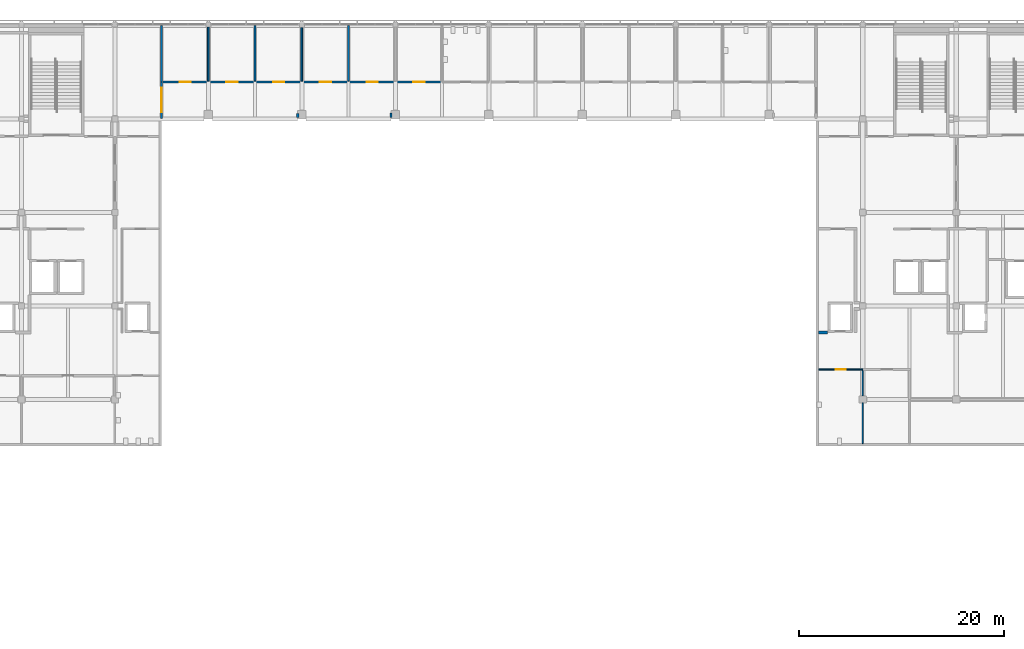
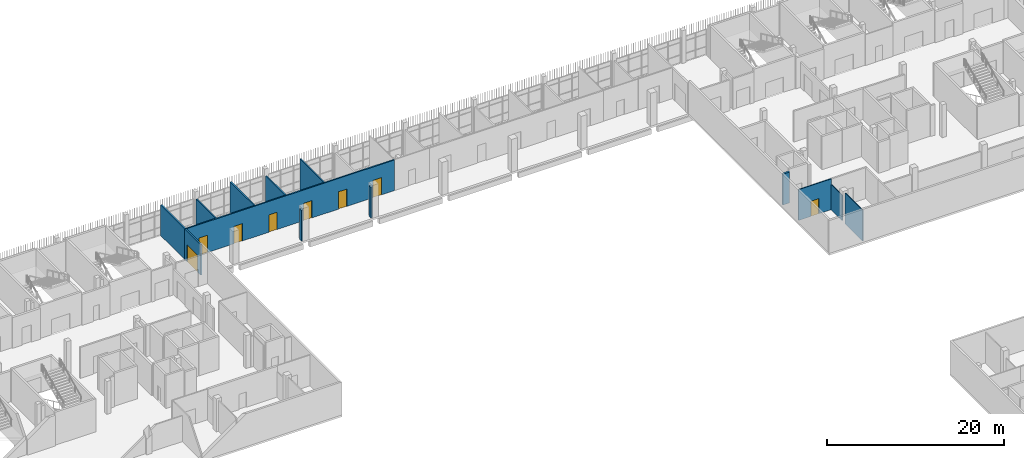
# One storey, part 76 of 124: 13 walls, 8 doors, 8 openings.
"""IFC4 building model written with IfcOpenShell, lengths in metres."""

from ifc_helpers import new_model, si_unit, direction, frame, frame_2d, origin, place, context, subcontext, project, spatial, rectangle, extrude, material, layer, layer_set, type_object, element, fill, save


model = new_model("IFC4")

# Units and contexts
model_context = context("Model", 3, precision=1e-05, world=origin(), true_north=direction((0.0, 1.0)))
body_context = subcontext(model_context, "Body", "Model", "MODEL_VIEW")
ifc_project = project(units=[si_unit("LENGTHUNIT", "METRE"), si_unit("AREAUNIT", "SQUARE_METRE"), si_unit("VOLUMEUNIT", "CUBIC_METRE"), si_unit("PLANEANGLEUNIT", "RADIAN"), si_unit("MASSUNIT", "GRAM", prefix="KILO")], contexts=[model_context])

# Site, building, storey
site_placement = place(None, origin())
site = spatial("IfcSite", under=ifc_project, at=site_placement, CompositionType="ELEMENT")
building_placement = place(site_placement, origin())
building = spatial("IfcBuilding", under=site, at=building_placement, Name="Shirokan Park Arena", CompositionType="ELEMENT")
storey_placement = place(building_placement, frame((0.0, 0.0, 20.02001953125)))
storey = spatial("IfcBuildingStorey", under=building, at=storey_placement, Name="L04", CompositionType="ELEMENT", Elevation=20.02001953125)

# Wall
ifc_material_1 = material(Name="Gypsum board")
ifc_layer_1 = layer(ifc_material_1, 0.02490234375, Name="Gypsum board, two layers")
ifc_material_2 = material(Name="Mineral wool insulation")
ifc_layer_2 = layer(ifc_material_2, 0.10009765625, Name="Acoustic mineral wool in studs")
ifc_layer_3 = layer(ifc_material_1, 0.02490234375, Name="Gypsum board, two layers")
ifc_material_3 = material(Name="Acoustic mat on resilient channel")
ifc_layer_4 = layer(ifc_material_3, 0.02490234375, Name="Acoustic mat on resilient channel")
ifc_layer_set_1 = layer_set([ifc_layer_1, ifc_layer_2, ifc_layer_3, ifc_layer_4], Name="Gypsum board, two layers + Acoustic mineral wool in studs + Acoustic mat on resilient channel")
wall_type_1 = type_object("IfcWallType", Name="Acoustic studio wall 175", PredefinedType="PARTITIONING", material=ifc_layer_set_1)
wall_1_placement = place(storey_placement, frame((40.949951171875, 103.699951171875, 0.0), z_axis=(0.0, 0.0, 1.0), x_axis=(0.0, 1.0, 0.0)))
element("IfcWall", 1, at=wall_1_placement, inside=storey, type_object=wall_type_1, Name="Acoustic studio wall 175 L04", PredefinedType="PARTITIONING", context=body_context, shape_type="SweptSolid", body=[
    extrude(rectangle(XDim=5.469970703125, YDim=0.175048828125, at=frame_2d((2.73486328125, 0.0))), origin(), (0.0, 0.0, 1.0), 4.25),
])

# Wall, openings, doors
wall_2_placement = place(storey_placement, frame((41.050048828125, 103.699951171875, 0.0), z_axis=(0.0, 0.0, 1.0), x_axis=(1.0, 0.0, 0.0)))
wall_2 = element("IfcWall", 2, at=wall_2_placement, inside=storey, type_object=wall_type_1, Name="Acoustic studio wall 175 L04", PredefinedType="PARTITIONING", context=body_context, shape_type="SweptSolid", body=[
    extrude(rectangle(XDim=27.199951171875, YDim=0.175048828125, at=frame_2d((13.60009765625, 0.0))), origin(), (0.0, 0.0, 1.0), 4.25),
])
opening_1_placement = place(wall_2_placement, frame((1.64990234375, 0.0, 0.0)))
opening_1 = element("IfcOpeningElement", 3, at=opening_1_placement, cuts=wall_2, Name="Opening D-4047", PredefinedType="OPENING", context=body_context, shape_type="SweptSolid", body=[
    extrude(rectangle(XDim=1.10009765625, YDim=2.39990234375, at=frame_2d((0.550048828125, 1.199951171875))), frame((0.0, 0.097412109375, 0.0), z_axis=(0.0, -1.0, 0.0), x_axis=(1.0, 0.0, 0.0)), (0.0, 0.0, 1.0), 0.195068359375),
])
opening_2_placement = place(wall_2_placement, frame((6.199951171875, 0.0, 0.0)))
opening_2 = element("IfcOpeningElement", 4, at=opening_2_placement, cuts=wall_2, Name="Opening D-4053", PredefinedType="OPENING", context=body_context, shape_type="SweptSolid", body=[
    extrude(rectangle(XDim=1.10009765625, YDim=2.39990234375, at=frame_2d((0.550048828125, 1.199951171875))), frame((0.0, 0.097412109375, 0.0), z_axis=(0.0, -1.0, 0.0), x_axis=(1.0, 0.0, 0.0)), (0.0, 0.0, 1.0), 0.195068359375),
])
opening_3_placement = place(wall_2_placement, frame((10.75, 0.0, 0.0)))
opening_3 = element("IfcOpeningElement", 5, at=opening_3_placement, cuts=wall_2, Name="Opening D-4054", PredefinedType="OPENING", context=body_context, shape_type="SweptSolid", body=[
    extrude(rectangle(XDim=1.10009765625, YDim=2.39990234375, at=frame_2d((0.550048828125, 1.199951171875))), frame((0.0, 0.097412109375, 0.0), z_axis=(0.0, -1.0, 0.0), x_axis=(1.0, 0.0, 0.0)), (0.0, 0.0, 1.0), 0.195068359375),
])
opening_4_placement = place(wall_2_placement, frame((15.300048828125, 0.0, 0.0)))
opening_4 = element("IfcOpeningElement", 6, at=opening_4_placement, cuts=wall_2, Name="Opening D-4055", PredefinedType="OPENING", context=body_context, shape_type="SweptSolid", body=[
    extrude(rectangle(XDim=1.10009765625, YDim=2.39990234375, at=frame_2d((0.550048828125, 1.199951171875))), frame((0.0, 0.097412109375, 0.0), z_axis=(0.0, -1.0, 0.0), x_axis=(1.0, 0.0, 0.0)), (0.0, 0.0, 1.0), 0.195068359375),
])
opening_5_placement = place(wall_2_placement, frame((19.85009765625, 0.0, 0.0)))
opening_5 = element("IfcOpeningElement", 7, at=opening_5_placement, cuts=wall_2, Name="Opening D-4056", PredefinedType="OPENING", context=body_context, shape_type="SweptSolid", body=[
    extrude(rectangle(XDim=1.10009765625, YDim=2.39990234375, at=frame_2d((0.550048828125, 1.199951171875))), frame((0.0, 0.097412109375, 0.0), z_axis=(0.0, -1.0, 0.0), x_axis=(1.0, 0.0, 0.0)), (0.0, 0.0, 1.0), 0.195068359375),
])
opening_6_placement = place(wall_2_placement, frame((24.39990234375, 0.0, 0.0)))
opening_6 = element("IfcOpeningElement", 8, at=opening_6_placement, cuts=wall_2, Name="Opening D-4057", PredefinedType="OPENING", context=body_context, shape_type="SweptSolid", body=[
    extrude(rectangle(XDim=1.10009765625, YDim=2.39990234375, at=frame_2d((0.550048828125, 1.199951171875))), frame((0.0, 0.097412109375, 0.0), z_axis=(0.0, -1.0, 0.0), x_axis=(1.0, 0.0, 0.0)), (0.0, 0.0, 1.0), 0.195068359375),
])
ifc_material_4 = material(Name="Acoustic timber door set, fire resisting", Category="wood")
door_type_1 = type_object("IfcDoorType", Name="Acoustic studio door 1100 x 2400", OperationType="SINGLE_SWING_LEFT", PredefinedType="DOOR", material=ifc_material_4)
door_1_placement = place(opening_1_placement, origin())
door_1 = element("IfcDoor", 9, at=door_1_placement, inside=storey, type_object=door_type_1, Name="Door to Commentary Position 4.31 D-4047", OperationType="SINGLE_SWING_RIGHT", OverallHeight=2.39990234375, OverallWidth=1.10009765625, PredefinedType="DOOR", context=body_context, shape_type="SweptSolid", body=[
    extrude(rectangle(XDim=1.10009765625, YDim=2.39990234375, at=frame_2d((0.550048828125, 1.199951171875))), frame((0.0, 0.02490234375, 0.0), z_axis=(0.0, -1.0, 0.0), x_axis=(1.0, 0.0, 0.0)), (0.0, 0.0, 1.0), 0.050048828125),
])
fill(opening_1, door_1)
door_2_placement = place(opening_2_placement, origin())
door_2 = element("IfcDoor", 10, at=door_2_placement, inside=storey, type_object=door_type_1, Name="Door to Commentary Position 4.32 D-4053", OperationType="SINGLE_SWING_LEFT", OverallHeight=2.39990234375, OverallWidth=1.10009765625, PredefinedType="DOOR", context=body_context, shape_type="SweptSolid", body=[
    extrude(rectangle(XDim=1.10009765625, YDim=2.39990234375, at=frame_2d((0.550048828125, 1.199951171875))), frame((0.0, 0.02490234375, 0.0), z_axis=(0.0, -1.0, 0.0), x_axis=(1.0, 0.0, 0.0)), (0.0, 0.0, 1.0), 0.050048828125),
])
fill(opening_2, door_2)
door_3_placement = place(opening_3_placement, origin())
door_3 = element("IfcDoor", 11, at=door_3_placement, inside=storey, type_object=door_type_1, Name="Door to Commentary Position 4.33 D-4054", OperationType="SINGLE_SWING_LEFT", OverallHeight=2.39990234375, OverallWidth=1.10009765625, PredefinedType="DOOR", context=body_context, shape_type="SweptSolid", body=[
    extrude(rectangle(XDim=1.10009765625, YDim=2.39990234375, at=frame_2d((0.550048828125, 1.199951171875))), frame((0.0, 0.02490234375, 0.0), z_axis=(0.0, -1.0, 0.0), x_axis=(1.0, 0.0, 0.0)), (0.0, 0.0, 1.0), 0.050048828125),
])
fill(opening_3, door_3)
door_4_placement = place(opening_4_placement, origin())
door_4 = element("IfcDoor", 12, at=door_4_placement, inside=storey, type_object=door_type_1, Name="Door to Commentary Position 4.34 D-4055", OperationType="SINGLE_SWING_LEFT", OverallHeight=2.39990234375, OverallWidth=1.10009765625, PredefinedType="DOOR", context=body_context, shape_type="SweptSolid", body=[
    extrude(rectangle(XDim=1.10009765625, YDim=2.39990234375, at=frame_2d((0.550048828125, 1.199951171875))), frame((0.0, 0.02490234375, 0.0), z_axis=(0.0, -1.0, 0.0), x_axis=(1.0, 0.0, 0.0)), (0.0, 0.0, 1.0), 0.050048828125),
])
fill(opening_4, door_4)
door_5_placement = place(opening_5_placement, origin())
door_5 = element("IfcDoor", 13, at=door_5_placement, inside=storey, type_object=door_type_1, Name="Door to Commentary Position 4.35 D-4056", OperationType="SINGLE_SWING_LEFT", OverallHeight=2.39990234375, OverallWidth=1.10009765625, PredefinedType="DOOR", context=body_context, shape_type="SweptSolid", body=[
    extrude(rectangle(XDim=1.10009765625, YDim=2.39990234375, at=frame_2d((0.550048828125, 1.199951171875))), frame((0.0, 0.02490234375, 0.0), z_axis=(0.0, -1.0, 0.0), x_axis=(1.0, 0.0, 0.0)), (0.0, 0.0, 1.0), 0.050048828125),
])
fill(opening_5, door_5)
door_6_placement = place(opening_6_placement, origin())
door_6 = element("IfcDoor", 14, at=door_6_placement, inside=storey, type_object=door_type_1, Name="Door to Commentary Position 4.36 D-4057", OperationType="SINGLE_SWING_LEFT", OverallHeight=2.39990234375, OverallWidth=1.10009765625, PredefinedType="DOOR", context=body_context, shape_type="SweptSolid", body=[
    extrude(rectangle(XDim=1.10009765625, YDim=2.39990234375, at=frame_2d((0.550048828125, 1.199951171875))), frame((0.0, 0.02490234375, 0.0), z_axis=(0.0, -1.0, 0.0), x_axis=(1.0, 0.0, 0.0)), (0.0, 0.0, 1.0), 0.050048828125),
])
fill(opening_6, door_6)

# Walls
wall_3_placement = place(storey_placement, frame((45.5, 109.02490234375, 0.0), z_axis=(0.0, 0.0, 1.0), x_axis=(0.0, -1.0, 0.0)))
element("IfcWall", 15, at=wall_3_placement, inside=storey, type_object=wall_type_1, Name="Acoustic studio wall 175 L04", PredefinedType="PARTITIONING", context=body_context, shape_type="SweptSolid", body=[
    extrude(rectangle(XDim=5.2373046875, YDim=0.175048828125, at=frame_2d((2.61865234375, 0.0))), origin(), (0.0, 0.0, 1.0), 3.550048828125),
])
wall_4_placement = place(storey_placement, frame((50.050048828125, 109.169921875, 0.0), z_axis=(0.0, 0.0, 1.0), x_axis=(0.0, -1.0, 0.0)))
element("IfcWall", 16, at=wall_4_placement, inside=storey, type_object=wall_type_1, Name="Acoustic studio wall 175 L04", PredefinedType="PARTITIONING", context=body_context, shape_type="SweptSolid", body=[
    extrude(rectangle(XDim=5.38232421875, YDim=0.175048828125, at=frame_2d((2.691162109375, 0.0))), origin(), (0.0, 0.0, 1.0), 4.25),
])
wall_5_placement = place(storey_placement, frame((54.60009765625, 109.0, 0.0), z_axis=(0.0, 0.0, 1.0), x_axis=(0.0, -1.0, 0.0)))
element("IfcWall", 17, at=wall_5_placement, inside=storey, type_object=wall_type_1, Name="Acoustic studio wall 175 L04", PredefinedType="PARTITIONING", context=body_context, shape_type="SweptSolid", body=[
    extrude(rectangle(XDim=5.21240234375, YDim=0.175048828125, at=frame_2d((2.606201171875, 0.0))), origin(), (0.0, 0.0, 1.0), 3.550048828125),
])
wall_6_placement = place(storey_placement, frame((59.14990234375, 109.169921875, 0.0), z_axis=(0.0, 0.0, 1.0), x_axis=(0.0, -1.0, 0.0)))
element("IfcWall", 18, at=wall_6_placement, inside=storey, type_object=wall_type_1, Name="Acoustic studio wall 175 L04", PredefinedType="PARTITIONING", context=body_context, shape_type="SweptSolid", body=[
    extrude(rectangle(XDim=5.38232421875, YDim=0.175048828125, at=frame_2d((2.691162109375, 0.0))), origin(), (0.0, 0.0, 1.0), 4.25),
])

# Wall, opening, door
ifc_layer_5 = layer(ifc_material_1, 0.02490234375, Name="Gypsum board, two layers")
ifc_layer_6 = layer(ifc_material_2, 0.14990234375, Name="Mineral wool insulation")
ifc_layer_7 = layer(ifc_material_1, 0.02490234375, Name="Gypsum board, two layers")
ifc_layer_set_2 = layer_set([ifc_layer_5, ifc_layer_6, ifc_layer_7], Name="Gypsum board, two layers + Mineral wool insulation")
wall_type_2 = type_object("IfcWallType", Name="Corridor wall 200", PredefinedType="PARTITIONING", material=ifc_layer_set_2)
wall_7_placement = place(storey_placement, frame((40.949951171875, 103.699951171875, 0.0), z_axis=(0.0, 0.0, 1.0), x_axis=(0.0, -1.0, 0.0)))
wall_7 = element("IfcWall", 19, at=wall_7_placement, inside=storey, type_object=wall_type_2, Name="Corridor wall 200 L04", PredefinedType="PARTITIONING", context=body_context, shape_type="SweptSolid", body=[
    extrude(rectangle(XDim=3.570068359375, YDim=0.199951171875, at=frame_2d((1.78515625, 0.0))), origin(), (0.0, 0.0, 1.0), 4.25),
])
opening_7_placement = place(wall_7_placement, frame((0.550048828125, 0.0, 0.0)))
opening_7 = element("IfcOpeningElement", 20, at=opening_7_placement, cuts=wall_7, Name="Opening D-4118", PredefinedType="OPENING", context=body_context, shape_type="SweptSolid", body=[
    extrude(rectangle(XDim=2.39990234375, YDim=2.39990234375, at=frame_2d((1.199951171875, 1.199951171875))), frame((0.0, 0.10986328125, 0.0), z_axis=(0.0, -1.0, 0.0), x_axis=(1.0, 0.0, 0.0)), (0.0, 0.0, 1.0), 0.219970703125),
])
ifc_material_5 = material(Name="Steel door set, fire resisting", Category="steel")
door_type_2 = type_object("IfcDoorType", Name="Double door 2400 x 2400", OperationType="DOUBLE_DOOR_SINGLE_SWING", PredefinedType="DOOR", material=ifc_material_5)
door_7_placement = place(opening_7_placement, origin())
door_7 = element("IfcDoor", 21, at=door_7_placement, inside=storey, type_object=door_type_2, Name="Door between Ring Link 4.4 and Operations Corridor 4.03 D-4118", OperationType="DOUBLE_DOOR_SINGLE_SWING", OverallHeight=2.39990234375, OverallWidth=2.39990234375, PredefinedType="DOOR", context=body_context, shape_type="SweptSolid", body=[
    extrude(rectangle(XDim=2.39990234375, YDim=2.39990234375, at=frame_2d((1.199951171875, 1.199951171875))), frame((0.0, 0.02490234375, 0.0), z_axis=(0.0, -1.0, 0.0), x_axis=(1.0, 0.0, 0.0)), (0.0, 0.0, 1.0), 0.050048828125),
])
fill(opening_7, door_7)

# Walls
for number, where, z_axis, x_axis, name in (
    (22, (54.199951171875, 100.625, 0.0), (0.0, 0.0, 1.0), (0.0, -1.0, 0.0), "Corridor wall 200 L04"),
    (23, (63.300048828125, 100.64990234375, 0.0), (0.0, 0.0, 1.0), (0.0, -1.0, 0.0), "Corridor wall 200 L04"),
):
    element("IfcWall", number, at=place(storey_placement, frame(where, z_axis=z_axis, x_axis=x_axis)), inside=storey, type_object=wall_type_2, Name=name, PredefinedType="PARTITIONING", context=body_context, shape_type="SweptSolid", body=[
        extrude(rectangle(XDim=0.39990234375, YDim=0.199951171875, at=frame_2d((0.199951171875, 0.0))), origin(), (0.0, 0.0, 1.0), 4.25),
    ])
ifc_material_6 = material(Name="Plaster")
ifc_layer_8 = layer(ifc_material_6, 0.012451171875, Name="Plaster")
ifc_material_7 = material(Name="Concrete blockwork", Category="masonry")
ifc_layer_9 = layer(ifc_material_7, 0.25, Name="Concrete blockwork 250")
ifc_layer_10 = layer(ifc_material_6, 0.012451171875, Name="Plaster")
ifc_layer_set_3 = layer_set([ifc_layer_8, ifc_layer_9, ifc_layer_10], Name="Plaster + Concrete blockwork 250")
wall_type_3 = type_object("IfcWallType", Name="Plant room wall 275", PredefinedType="SOLIDWALL", material=ifc_layer_set_3)
wall_8_placement = place(storey_placement, frame((105.77001953125, 79.300048828125, 0.0), z_axis=(0.0, 0.0, 1.0), x_axis=(-1.0, 0.0, 0.0)))
element("IfcWall", 24, at=wall_8_placement, inside=storey, type_object=wall_type_3, Name="Plant room wall 275 L04", PredefinedType="SOLIDWALL", context=body_context, shape_type="SweptSolid", body=[
    extrude(rectangle(XDim=0.8701171875, YDim=0.27490234375, at=frame_2d((0.43505859375, 0.0))), origin(), (0.0, 0.0, 1.0), 4.25),
])

# Wall, opening, door
ifc_material_8 = material(Name="Ceramic tile")
ifc_layer_11 = layer(ifc_material_8, 0.010009765625, Name="Ceramic tile")
ifc_material_9 = material(Name="Cement board")
ifc_layer_12 = layer(ifc_material_9, 0.012451171875, Name="Cement board")
ifc_layer_13 = layer(ifc_material_2, 0.080078125, Name="Mineral wool insulation")
ifc_layer_14 = layer(ifc_material_9, 0.012451171875, Name="Cement board")
ifc_layer_15 = layer(ifc_material_8, 0.010009765625, Name="Ceramic tile")
ifc_layer_set_4 = layer_set([ifc_layer_11, ifc_layer_12, ifc_layer_13, ifc_layer_14, ifc_layer_15], Name="Ceramic tile + Cement board + Mineral wool insulation")
wall_type_4 = type_object("IfcWallType", Name="Wet-area wall 125", PredefinedType="PARTITIONING", material=ifc_layer_set_4)
wall_9_placement = place(storey_placement, frame((104.89990234375, 75.699951171875, 0.0), z_axis=(0.0, 0.0, 1.0), x_axis=(1.0, 0.0, 0.0)))
wall_9 = element("IfcWall", 25, at=wall_9_placement, inside=storey, type_object=wall_type_4, Name="Wet-area wall 125 L04", PredefinedType="PARTITIONING", context=body_context, shape_type="SweptSolid", body=[
    extrude(rectangle(XDim=4.300048828125, YDim=0.125, at=frame_2d((2.14990234375, 0.0))), origin(), (0.0, 0.0, 1.0), 4.25),
])
opening_8_placement = place(wall_9_placement, frame((1.64990234375, 0.0, 0.0)))
opening_8 = element("IfcOpeningElement", 26, at=opening_8_placement, cuts=wall_9, Name="Opening D-4032", PredefinedType="OPENING", context=body_context, shape_type="SweptSolid", body=[
    extrude(rectangle(XDim=1.0, YDim=2.10009765625, at=frame_2d((0.5, 1.050048828125))), frame((0.0, 0.072509765625, 0.0), z_axis=(0.0, -1.0, 0.0), x_axis=(1.0, 0.0, 0.0)), (0.0, 0.0, 1.0), 0.14501953125),
])
ifc_material_10 = material(Name="Timber door set, fire resisting", Category="wood")
door_type_3 = type_object("IfcDoorType", Name="Accessible WC door 1000 x 2100", OperationType="SINGLE_SWING_RIGHT", PredefinedType="DOOR", material=ifc_material_10)
door_8_placement = place(opening_8_placement, origin())
door_8 = element("IfcDoor", 27, at=door_8_placement, inside=storey, type_object=door_type_3, Name="Door to Accessible WC 4.33 D-4032", OperationType="SINGLE_SWING_RIGHT", OverallHeight=2.10009765625, OverallWidth=1.0, PredefinedType="DOOR", context=body_context, shape_type="SweptSolid", body=[
    extrude(rectangle(XDim=1.0, YDim=2.10009765625, at=frame_2d((0.5, 1.050048828125))), frame((0.0, 0.02490234375, 0.0), z_axis=(0.0, -1.0, 0.0), x_axis=(1.0, 0.0, 0.0)), (0.0, 0.0, 1.0), 0.050048828125),
])
fill(opening_8, door_8)

# Walls
wall_10_placement = place(storey_placement, frame((109.199951171875, 68.5, 0.0), z_axis=(0.0, 0.0, 1.0), x_axis=(0.0, 1.0, 0.0)))
element("IfcWall", 28, at=wall_10_placement, inside=storey, type_object=wall_type_4, Name="Wet-area wall 125 L04", PredefinedType="PARTITIONING", context=body_context, shape_type="SweptSolid", body=[
    extrude(rectangle(XDim=3.949951171875, YDim=0.125, at=frame_2d((1.97509765625, 0.0))), origin(), (0.0, 0.0, 1.0), 4.25),
])
wall_11_placement = place(storey_placement, frame((109.199951171875, 73.14990234375, 0.0), z_axis=(0.0, 0.0, 1.0), x_axis=(0.0, 1.0, 0.0)))
element("IfcWall", 29, at=wall_11_placement, inside=storey, type_object=wall_type_4, Name="Wet-area wall 125 L04", PredefinedType="PARTITIONING", context=body_context, shape_type="SweptSolid", body=[
    extrude(rectangle(XDim=2.4501953125, YDim=0.125, at=frame_2d((1.22509765625, 0.0))), origin(), (0.0, 0.0, 1.0), 3.5),
])

save(model, "model.ifc")
